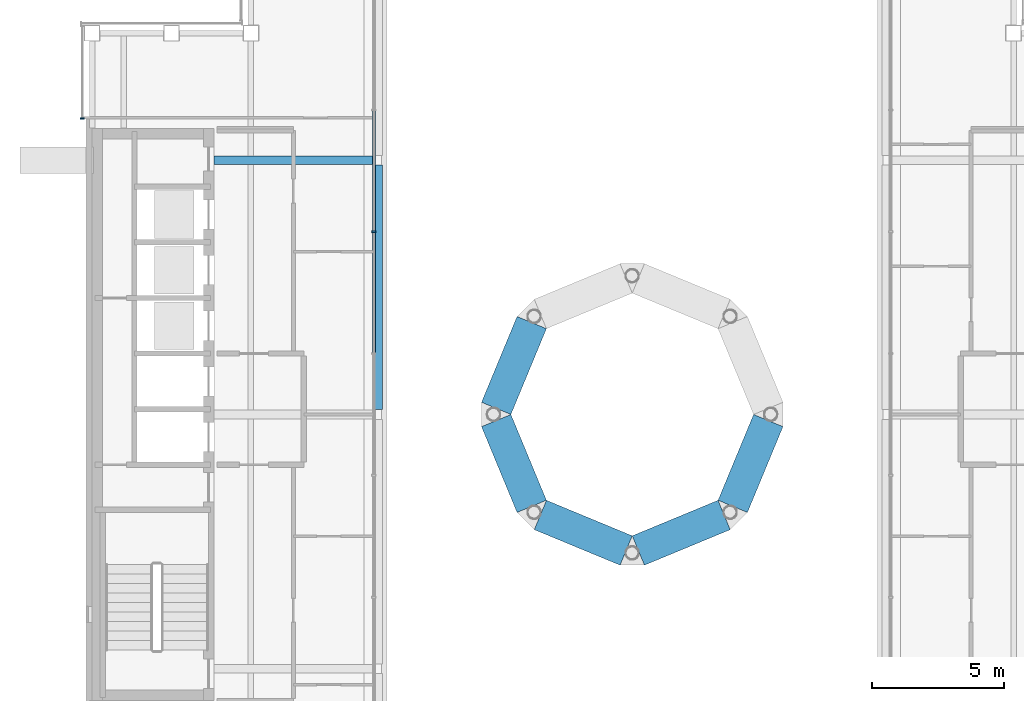
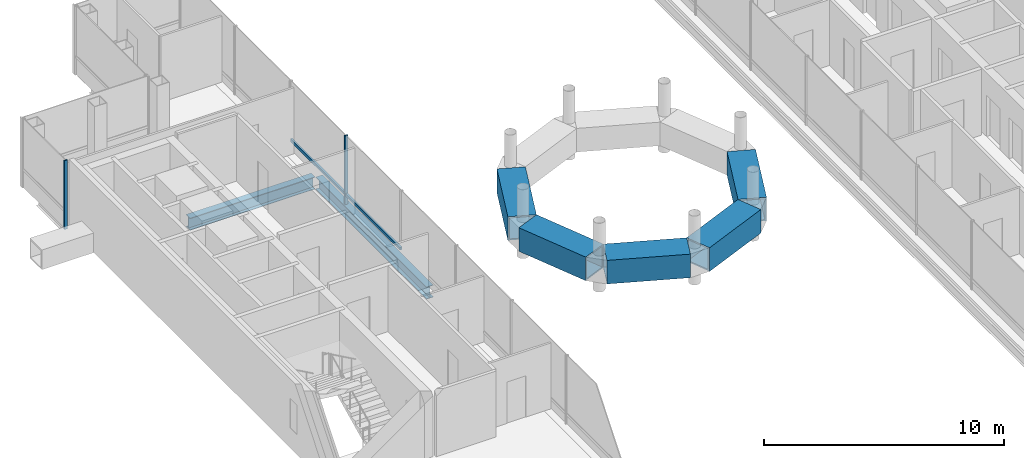
# One storey, part 8 of 21: 7 beams, 4 members, 2 elements without a shape of their own.
"""IFC4 building model written with IfcOpenShell, lengths in metres."""

from ifc_helpers import new_model, si_unit, direction, frame, origin, origin_2d, place, context, subcontext, project, spatial, rectangle, hollow_rectangle, i_section, extrude, material, material_profile, profile_set, type_object, element, aggregate, save


model = new_model("IFC4")

# Units and contexts
model_context = context("Model", 3, precision=1e-05, world=origin(), true_north=direction((0.0, 1.0)))
body_context = subcontext(model_context, "Body", "Model", "MODEL_VIEW")
ifc_project = project(units=[si_unit("LENGTHUNIT", "METRE"), si_unit("AREAUNIT", "SQUARE_METRE"), si_unit("VOLUMEUNIT", "CUBIC_METRE"), si_unit("PLANEANGLEUNIT", "RADIAN"), si_unit("MASSUNIT", "GRAM", prefix="KILO")], contexts=[model_context])

# Site, building, storey
site_placement = place(None, origin())
site = spatial("IfcSite", under=ifc_project, at=site_placement, CompositionType="ELEMENT")
building_placement = place(site_placement, origin())
building = spatial("IfcBuilding", under=site, at=building_placement, Name="Cobrizo Arcos Hotel Tower", CompositionType="ELEMENT")
storey_placement = place(building_placement, frame((0.0, 0.0, 279.5)))
storey = spatial("IfcBuildingStorey", under=building, at=storey_placement, Name="L74", CompositionType="ELEMENT", Elevation=279.5)

# Beams
ifc_material_1 = material(Name="Steel ASTM A572 Grade 50", Category="steel")
ifc_material_profile_1 = material_profile(ifc_material_1, hollow_rectangle(XDim=1.199951171875, YDim=1.199951171875, WallThickness=0.070068359375, at=origin_2d()), Name="BOX 1200X1200X70")
ifc_profile_set_1 = profile_set([ifc_material_profile_1], Name="Steel ASTM A572 Grade 50")
beam_type_1 = type_object("IfcBeamType", Name="BOX 1200X1200X70 drum ring beam", PredefinedType="BEAM", material=ifc_profile_set_1)
for number, where, z_axis, x_axis, name in (
    (1, (-3.795166015625, 3.470458984375, 1.2333984375), (-0.382642737497, -0.923896387827, 0.0), (0.923896387827, -0.382642737497, 0.0), "Drum ring beam RB4, tier 1, no. 3"),
    (2, (-5.137451171875, -0.2294921875, 1.2333984375), (0.382642737497, -0.923896387827, 0.0), (0.923896387827, 0.382642737497, 0.0), "Drum ring beam RB5, tier 1, no. 4"),
    (3, (-3.470458984375, -3.795166015625, 1.2333984375), (0.923896387827, -0.382642737497, 0.0), (0.382642737497, 0.923896387827, 0.0), "Drum ring beam RB6, tier 1, no. 5"),
    (4, (0.2294921875, -5.137451171875, 1.2333984375), (0.923896387827, 0.382642737497, 0.0), (-0.382642737497, 0.923896387827, 0.0), "Drum ring beam RB7, tier 1, no. 6"),
    (5, (3.795166015625, -3.470458984375, 1.2333984375), (0.382642737497, 0.923896387827, 0.0), (-0.923896387827, 0.382642737497, 0.0), "Drum ring beam RB8, tier 1, no. 7"),
):
    element("IfcBeam", number, at=place(storey_placement, frame(where, z_axis=z_axis, x_axis=x_axis)), inside=storey, type_object=beam_type_1, Name=name, PredefinedType="BEAM", context=body_context, shape_type="SweptSolid", body=[
        extrude(hollow_rectangle(XDim=1.199951171875, YDim=1.199951171875, WallThickness=0.070068359375, at=origin_2d()), origin(), (0.0, 0.0, 1.0), 3.5078125),
    ])

# Curtain wall, member
ifc_material_2 = material(Name="Aluminium 6063-T6 anodised bronze", Category="aluminium")
curtain_wall_type_1 = type_object("IfcCurtainWallType", Name="CW-A guest facade", PredefinedType="NOTDEFINED", material=ifc_material_2)
curtain_wall_1_placement = place(storey_placement, origin())
curtain_wall_1 = element("IfcCurtainWall", 6, at=curtain_wall_1_placement, inside=storey, type_object=curtain_wall_type_1, Name="CW-A L74 W face", PredefinedType="NOTDEFINED")
ifc_material_profile_2 = material_profile(ifc_material_2, rectangle(XDim=0.14990234375, YDim=0.06005859375, at=origin_2d()), Name="CW-A mullion 150x60")
ifc_profile_set_2 = profile_set([ifc_material_profile_2], Name="Aluminium 6063-T6 anodised bronze")
member_type_1 = type_object("IfcMemberType", Name="CW-A mullion 150x60", PredefinedType="MULLION", material=ifc_profile_set_2)
member_1_placement = place(storey_placement, frame((-20.77490234375, 11.179931640625, 0.0), z_axis=(0.0, 0.0, 1.0), x_axis=(-1.0, 0.0, 0.0)))
member_1 = element("IfcMember", 7, at=member_1_placement, type_object=member_type_1, Name="CW-A mullion 2", PredefinedType="MULLION", context=body_context, shape_type="SweptSolid", body=[
    extrude(rectangle(XDim=0.14990234375, YDim=0.06005859375, at=origin_2d()), origin(), (0.0, 0.0, 1.0), 3.5),
])
aggregate(curtain_wall_1, [member_1])

# Curtain wall, members
curtain_wall_type_2 = type_object("IfcCurtainWallType", Name="CW-C arch infill and crown glazing", PredefinedType="NOTDEFINED", material=ifc_material_2)
curtain_wall_2_placement = place(storey_placement, origin())
curtain_wall_2 = element("IfcCurtainWall", 8, at=curtain_wall_2_placement, inside=storey, type_object=curtain_wall_type_2, Name="CW-C L74 E face", PredefinedType="NOTDEFINED")
ifc_material_profile_3 = material_profile(ifc_material_2, rectangle(XDim=0.14990234375, YDim=0.070068359375, at=origin_2d()), Name="CW-C mullion 150x70")
ifc_profile_set_3 = profile_set([ifc_material_profile_3], Name="Aluminium 6063-T6 anodised bronze")
member_type_2 = type_object("IfcMemberType", Name="CW-C mullion 150x70", PredefinedType="MULLION", material=ifc_profile_set_3)
member_2_placement = place(storey_placement, frame((-9.7529296875, 6.89990234375, 0.0), z_axis=(0.0, 0.0, 1.0), x_axis=(1.0, 0.0, 0.0)))
member_2 = element("IfcMember", 9, at=member_2_placement, type_object=member_type_2, Name="CW-C mullion 7", PredefinedType="MULLION", context=body_context, shape_type="SweptSolid", body=[
    extrude(rectangle(XDim=0.14990234375, YDim=0.070068359375, at=origin_2d()), origin(), (0.0, 0.0, 1.0), 3.5),
])
ifc_material_profile_4 = material_profile(ifc_material_2, rectangle(XDim=0.10009765625, YDim=0.139892578125, at=origin_2d()), Name="CW-C transom 140x100")
ifc_profile_set_4 = profile_set([ifc_material_profile_4], Name="Aluminium 6063-T6 anodised bronze")
member_type_3 = type_object("IfcMemberType", Name="CW-C transom 140x100", PredefinedType="USERDEFINED", material=ifc_profile_set_4)
member_3_placement = place(storey_placement, frame((-9.7529296875, 2.3349609375, 0.5), z_axis=(0.0, 1.0, 0.0), x_axis=(-1.0, 0.0, 0.0)))
member_3 = element("IfcMember", 10, at=member_3_placement, type_object=member_type_3, Name="CW-C transom 2347", ObjectType="TRANSOM", PredefinedType="USERDEFINED", context=body_context, shape_type="SweptSolid", body=[
    extrude(rectangle(XDim=0.10009765625, YDim=0.139892578125, at=origin_2d()), origin(), (0.0, 0.0, 1.0), 4.530029296875),
])
member_4_placement = place(storey_placement, frame((-9.7529296875, 6.93505859375, 0.5), z_axis=(0.0, 1.0, 0.0), x_axis=(-1.0, 0.0, 0.0)))
member_4 = element("IfcMember", 11, at=member_4_placement, type_object=member_type_3, Name="CW-C transom 2348", ObjectType="TRANSOM", PredefinedType="USERDEFINED", context=body_context, shape_type="SweptSolid", body=[
    extrude(rectangle(XDim=0.10009765625, YDim=0.139892578125, at=origin_2d()), origin(), (0.0, 0.0, 1.0), 4.530029296875),
])
aggregate(curtain_wall_2, [member_2, member_3, member_4])

# Beams
ifc_material_3 = material(Name="Steel ASTM A992 Grade 50", Category="steel")
ifc_material_profile_5 = material_profile(ifc_material_3, i_section(OverallWidth=0.32763671875, OverallDepth=0.622314453125, WebThickness=0.015380859375, FlangeThickness=0.0244140625, at=origin_2d()), Name="W24X131")
ifc_profile_set_5 = profile_set([ifc_material_profile_5], Name="Steel ASTM A992 Grade 50")
beam_type_2 = type_object("IfcBeamType", Name="W24X131 girder", PredefinedType="BEAM", material=ifc_profile_set_5)
beam_1_placement = place(storey_placement, frame((-15.7900390625, 9.60009765625, -0.461181640625), z_axis=(1.0, 0.0, 0.0), x_axis=(0.0, 1.0, 0.0)))
element("IfcBeam", 12, at=beam_1_placement, inside=storey, type_object=beam_type_2, Name="Floor girder G1, L74, no. 005", PredefinedType="BEAM", context=body_context, shape_type="SweptSolid", body=[
    extrude(i_section(OverallWidth=0.32763671875, OverallDepth=0.622314453125, WebThickness=0.015380859375, FlangeThickness=0.0244140625, at=origin_2d()), origin(), (0.0, 0.0, 1.0), 6.005859375),
])
beam_2_placement = place(storey_placement, frame((-9.60009765625, 0.18408203125, -0.461181640625), z_axis=(0.0, 1.0, 0.0), x_axis=(-1.0, 0.0, 0.0)))
element("IfcBeam", 13, at=beam_2_placement, inside=storey, type_object=beam_type_2, Name="Floor girder G1, L74, no. 009", PredefinedType="BEAM", context=body_context, shape_type="SweptSolid", body=[
    extrude(i_section(OverallWidth=0.32763671875, OverallDepth=0.622314453125, WebThickness=0.015380859375, FlangeThickness=0.0244140625, at=origin_2d()), origin(), (0.0, 0.0, 1.0), 9.231689453125),
])

save(model, "model.ifc")
